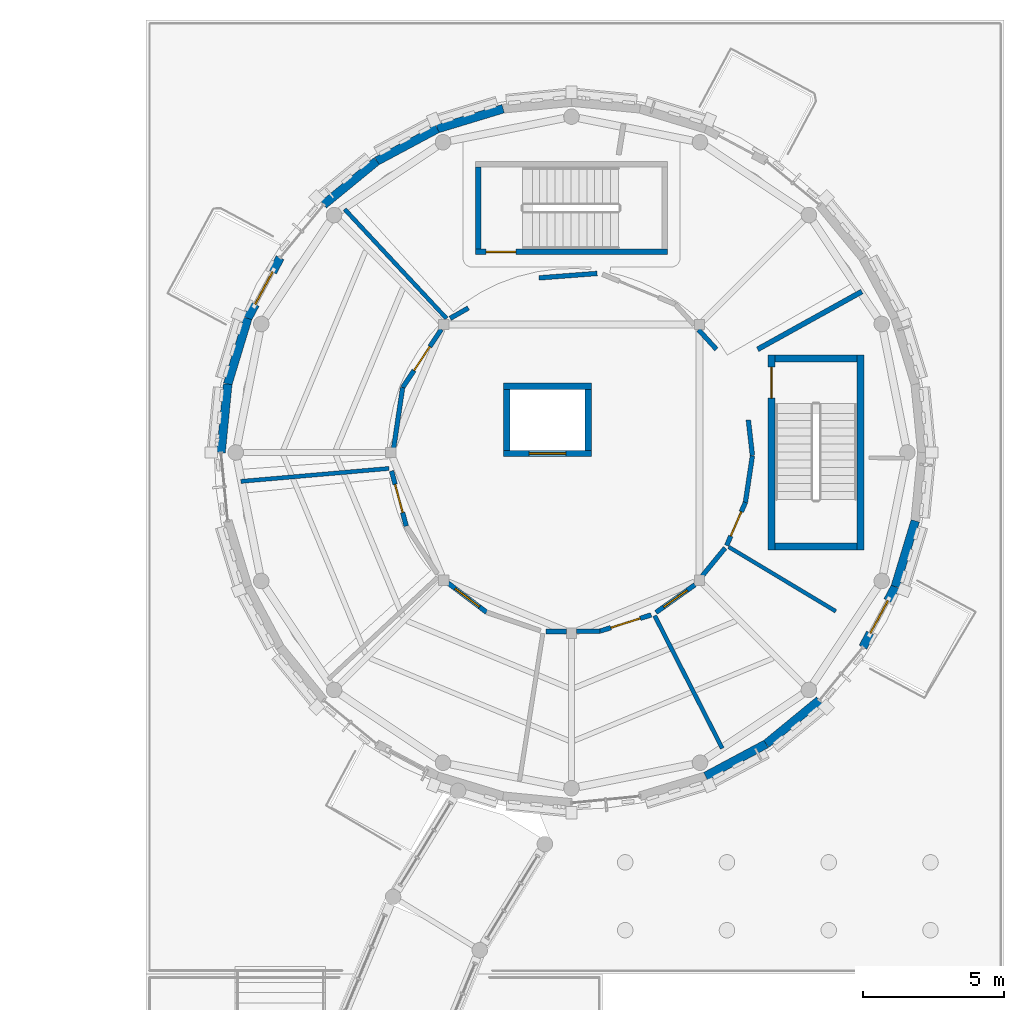
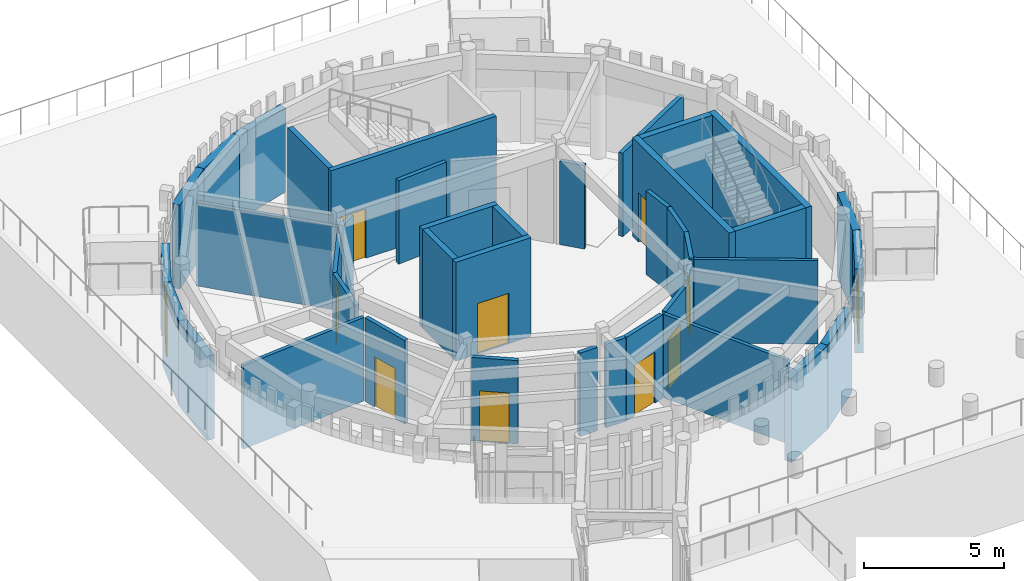
# One storey, part 55 of 94: 40 walls, 11 doors, 11 openings.
"""IFC4 building model written with IfcOpenShell, lengths in metres."""

from ifc_helpers import new_model, si_unit, direction, frame, frame_2d, origin, place, context, subcontext, project, spatial, rectangle, extrude, material, layer, layer_set, type_object, element, fill, save


model = new_model("IFC4")

# Units and contexts
model_context = context("Model", 3, precision=1e-05, world=origin(), true_north=direction((0.0, 1.0)))
body_context = subcontext(model_context, "Body", "Model", "MODEL_VIEW")
ifc_project = project(units=[si_unit("LENGTHUNIT", "METRE"), si_unit("AREAUNIT", "SQUARE_METRE"), si_unit("VOLUMEUNIT", "CUBIC_METRE"), si_unit("PLANEANGLEUNIT", "RADIAN"), si_unit("MASSUNIT", "GRAM", prefix="KILO")], contexts=[model_context])

# Site, building, storey
site_placement = place(None, origin())
site = spatial("IfcSite", under=ifc_project, at=site_placement, CompositionType="ELEMENT")
building_placement = place(site_placement, origin())
building = spatial("IfcBuilding", under=site, at=building_placement, Name="Aldenvaro Health Centre", CompositionType="ELEMENT")
storey_placement = place(building_placement, origin())
storey = spatial("IfcBuildingStorey", under=building, at=storey_placement, Name="L00", CompositionType="ELEMENT", Elevation=0.0)

# Walls
ifc_material_1 = material(Name="Gypsum Stud Acoustic Assembly")
ifc_layer_1 = layer(ifc_material_1, 0.14501953125, Name="Gypsum Stud Acoustic Assembly")
ifc_layer_set_1 = layer_set([ifc_layer_1], Name="Gypsum Stud Acoustic Assembly")
wall_type_1 = type_object("IfcWallType", Name="WL-CLN-145", PredefinedType="PARTITIONING", material=ifc_layer_set_1)
wall_1_placement = place(storey_placement, frame((150.0791015625, 104.240966796875, 0.0), z_axis=(0.0, 0.0, 1.0), x_axis=(-0.681975712302, 0.731374820342, 0.0)))
element("IfcWall", 1, at=wall_1_placement, inside=storey, type_object=wall_type_1, Name="D2 L00 clinical partition 3.1", PredefinedType="PARTITIONING", context=body_context, shape_type="SweptSolid", body=[
    extrude(rectangle(XDim=5.283203125, YDim=0.14501953125, at=frame_2d((2.6416015625, 0.0))), origin(), (0.0, 0.0, 1.0), 3.634033203125),
])
wall_2_placement = place(storey_placement, frame((148.0419921875, 98.93505859375, 0.0), z_axis=(0.0, 0.0, 1.0), x_axis=(-0.996201824445, -0.087074249763, 0.0)))
element("IfcWall", 2, at=wall_2_placement, inside=storey, type_object=wall_type_1, Name="D2 L00 clinical partition 4.1", PredefinedType="PARTITIONING", context=body_context, shape_type="SweptSolid", body=[
    extrude(rectangle(XDim=5.260009765625, YDim=0.14501953125, at=frame_2d((2.6298828125, 0.0))), origin(), (0.0, 0.0, 1.0), 3.634033203125),
])
wall_3_placement = place(storey_placement, frame((157.443115234375, 93.72412109375, 0.0), z_axis=(0.0, 0.0, 1.0), x_axis=(0.454011967175, -0.890995585658, 0.0)))
element("IfcWall", 3, at=wall_3_placement, inside=storey, type_object=wall_type_1, Name="D2 L00 clinical partition 7.1", PredefinedType="PARTITIONING", context=body_context, shape_type="SweptSolid", body=[
    extrude(rectangle(XDim=5.26171875, YDim=0.14501953125, at=frame_2d((2.630859375, 0.0))), origin(), (0.0, 0.0, 1.0), 3.634033203125),
])
ifc_layer_2 = layer(ifc_material_1, 0.1650390625, Name="Gypsum Stud Acoustic Assembly")
ifc_layer_set_2 = layer_set([ifc_layer_2], Name="Gypsum Stud Acoustic Assembly")
wall_type_2 = type_object("IfcWallType", Name="WL-COR-165", PredefinedType="PARTITIONING", material=ifc_layer_set_2)
wall_4_placement = place(storey_placement, frame((159.6259765625, 103.14990234375, 0.0), z_axis=(0.0, 0.0, 1.0), x_axis=(-0.674102073733, 0.738638202497, 0.0)))
element("IfcWall", 4, at=wall_4_placement, inside=storey, type_object=wall_type_2, Name="D2 L00 corridor wall 01.1", PredefinedType="PARTITIONING", context=body_context, shape_type="SweptSolid", body=[
    extrude(rectangle(XDim=0.934326171875, YDim=0.1650390625, at=frame_2d((0.46728515625, 0.0))), origin(), (0.0, 0.0, 1.0), 3.634033203125),
])
wall_5_placement = place(storey_placement, frame((155.406982421875, 105.8349609375, 0.0), z_axis=(0.0, 0.0, 1.0), x_axis=(-0.99702797337, -0.077040381088, 0.0)))
element("IfcWall", 5, at=wall_5_placement, inside=storey, type_object=wall_type_2, Name="D2 L00 corridor wall 02.1", PredefinedType="PARTITIONING", context=body_context, shape_type="SweptSolid", body=[
    extrude(rectangle(XDim=2.06298828125, YDim=0.1650390625, at=frame_2d((1.031494140625, 0.0))), origin(), (0.0, 0.0, 1.0), 3.634033203125),
])
wall_6_placement = place(storey_placement, frame((150.85009765625, 104.611083984375, 0.0), z_axis=(0.0, 0.0, 1.0), x_axis=(-0.869758476347, -0.493477651796, 0.0)))
element("IfcWall", 6, at=wall_6_placement, inside=storey, type_object=wall_type_2, Name="D2 L00 corridor wall 02.2", PredefinedType="PARTITIONING", context=body_context, shape_type="SweptSolid", body=[
    extrude(rectangle(XDim=0.74169921875, YDim=0.1650390625, at=frame_2d((0.370849609375, 0.0))), origin(), (0.0, 0.0, 1.0), 3.634033203125),
])

# Wall, opening, door
wall_7_placement = place(storey_placement, frame((149.89404296875, 103.85595703125, 0.0), z_axis=(0.0, 0.0, 1.0), x_axis=(-0.553151407961, -0.833080740307, 0.0)))
wall_7 = element("IfcWall", 7, at=wall_7_placement, inside=storey, type_object=wall_type_2, Name="D2 L00 corridor wall 03.1", PredefinedType="PARTITIONING", context=body_context, shape_type="SweptSolid", body=[
    extrude(rectangle(XDim=2.47509765625, YDim=0.1650390625, at=frame_2d((1.237548828125, 0.0))), origin(), (0.0, 0.0, 1.0), 3.634033203125),
])
opening_1_placement = place(wall_7_placement, frame((0.73291015625, 0.0, 0.0)))
opening_1 = element("IfcOpeningElement", 8, at=opening_1_placement, cuts=wall_7, Name="Opening D-19", PredefinedType="OPENING", context=body_context, shape_type="SweptSolid", body=[
    extrude(rectangle(XDim=1.010009765625, YDim=2.14990234375, at=frame_2d((0.5048828125, 1.074951171875))), frame((0.0, 0.092529296875, 0.0), z_axis=(0.0, -1.0, 0.0), x_axis=(1.0, 0.0, 0.0)), (0.0, 0.0, 1.0), 0.18505859375),
])
ifc_material_2 = material(Name="Exam Suite Timber Door", Category="wood")
door_type_1 = type_object("IfcDoorType", Name="DR-CLN-19", OperationType="NOTDEFINED", PredefinedType="DOOR", material=ifc_material_2)
door_1_placement = place(opening_1_placement, origin())
door_1 = element("IfcDoor", 9, at=door_1_placement, inside=storey, type_object=door_type_1, Name="Surgical Admissions Waiting Lounge Door", OperationType="SINGLE_SWING_LEFT", OverallHeight=2.14990234375, OverallWidth=1.010009765625, PredefinedType="DOOR", context=body_context, shape_type="SweptSolid", body=[
    extrude(rectangle(XDim=1.010009765625, YDim=2.14990234375, at=frame_2d((0.5048828125, 1.074951171875))), frame((0.0, 0.02490234375, 0.0), z_axis=(0.0, -1.0, 0.0), x_axis=(1.0, 0.0, 0.0)), (0.0, 0.0, 1.0), 0.050048828125),
])
fill(opening_1, door_1)

# Wall
wall_8_placement = place(storey_placement, frame((148.52490234375, 101.7939453125, 0.0), z_axis=(0.0, 0.0, 1.0), x_axis=(-0.146426008628, -0.989221625318, 0.0)))
element("IfcWall", 10, at=wall_8_placement, inside=storey, type_object=wall_type_2, Name="D2 L00 corridor wall 03.2", PredefinedType="PARTITIONING", context=body_context, shape_type="SweptSolid", body=[
    extrude(rectangle(XDim=2.164306640625, YDim=0.1650390625, at=frame_2d((1.08203125, 0.0))), origin(), (0.0, 0.0, 1.0), 3.634033203125),
])

# Wall, opening, door
wall_9_placement = place(storey_placement, frame((148.133056640625, 98.847900390625, 0.0), z_axis=(0.0, 0.0, 1.0), x_axis=(0.257557284001, -0.966263031197, 0.0)))
wall_9 = element("IfcWall", 11, at=wall_9_placement, inside=storey, type_object=wall_type_2, Name="D2 L00 corridor wall 04.1", PredefinedType="PARTITIONING", context=body_context, shape_type="SweptSolid", body=[
    extrude(rectangle(XDim=2.01904296875, YDim=0.1650390625, at=frame_2d((1.009521484375, 0.0))), origin(), (0.0, 0.0, 1.0), 3.634033203125),
])
opening_2_placement = place(wall_9_placement, frame((0.493896484375, 0.0, 0.0)))
opening_2 = element("IfcOpeningElement", 12, at=opening_2_placement, cuts=wall_9, Name="Opening D-20", PredefinedType="OPENING", context=body_context, shape_type="SweptSolid", body=[
    extrude(rectangle(XDim=1.030029296875, YDim=2.179931640625, at=frame_2d((0.51513671875, 1.08984375))), frame((0.0, 0.092529296875, 0.0), z_axis=(0.0, -1.0, 0.0), x_axis=(1.0, 0.0, 0.0)), (0.0, 0.0, 1.0), 0.18505859375),
])
door_type_2 = type_object("IfcDoorType", Name="DR-CLN-20", OperationType="NOTDEFINED", PredefinedType="DOOR", material=ifc_material_2)
door_2_placement = place(opening_2_placement, origin())
door_2 = element("IfcDoor", 13, at=door_2_placement, inside=storey, type_object=door_type_2, Name="Anesthesia Consulting Room 01 Door", OperationType="SINGLE_SWING_RIGHT", OverallHeight=2.179931640625, OverallWidth=1.030029296875, PredefinedType="DOOR", context=body_context, shape_type="SweptSolid", body=[
    extrude(rectangle(XDim=1.030029296875, YDim=2.179931640625, at=frame_2d((0.51513671875, 1.08984375))), frame((0.0, 0.02490234375, 0.0), z_axis=(0.0, -1.0, 0.0), x_axis=(1.0, 0.0, 0.0)), (0.0, 0.0, 1.0), 0.050048828125),
])
fill(opening_2, door_2)

wall_10_placement = place(storey_placement, frame((150.135009765625, 94.876953125, 0.0), z_axis=(0.0, 0.0, 1.0), x_axis=(0.797812216317, -0.602906018792, 0.0)))
wall_10 = element("IfcWall", 14, at=wall_10_placement, inside=storey, type_object=wall_type_2, Name="D2 L00 corridor wall 05.1", PredefinedType="PARTITIONING", context=body_context, shape_type="SweptSolid", body=[
    extrude(rectangle(XDim=1.704833984375, YDim=0.1650390625, at=frame_2d((0.8525390625, 0.0))), origin(), (0.0, 0.0, 1.0), 3.634033203125),
])
opening_3_placement = place(wall_10_placement, frame((0.318115234375, 0.0, 0.0)))
opening_3 = element("IfcOpeningElement", 15, at=opening_3_placement, cuts=wall_10, Name="Opening D-21", PredefinedType="OPENING", context=body_context, shape_type="SweptSolid", body=[
    extrude(rectangle(XDim=1.070068359375, YDim=2.199951171875, at=frame_2d((0.53515625, 1.10009765625))), frame((0.0, 0.092529296875, 0.0), z_axis=(0.0, -1.0, 0.0), x_axis=(1.0, 0.0, 0.0)), (0.0, 0.0, 1.0), 0.18505859375),
])
door_type_3 = type_object("IfcDoorType", Name="DR-CLN-21", OperationType="NOTDEFINED", PredefinedType="DOOR", material=ifc_material_2)
door_3_placement = place(opening_3_placement, origin())
door_3 = element("IfcDoor", 16, at=door_3_placement, inside=storey, type_object=door_type_3, Name="Anesthesia Consulting Room 02 Door", OperationType="SINGLE_SWING_LEFT", OverallHeight=2.199951171875, OverallWidth=1.070068359375, PredefinedType="DOOR", context=body_context, shape_type="SweptSolid", body=[
    extrude(rectangle(XDim=1.070068359375, YDim=2.199951171875, at=frame_2d((0.53515625, 1.10009765625))), frame((0.0, 0.02490234375, 0.0), z_axis=(0.0, -1.0, 0.0), x_axis=(1.0, 0.0, 0.0)), (0.0, 0.0, 1.0), 0.050048828125),
])
fill(opening_3, door_3)

# Walls
wall_11_placement = place(storey_placement, frame((153.593017578125, 93.1650390625, 0.0), z_axis=(0.0, 0.0, 1.0), x_axis=(0.999977808117, 0.006662077336, 0.0)))
element("IfcWall", 17, at=wall_11_placement, inside=storey, type_object=wall_type_2, Name="D2 L00 corridor wall 06.1", PredefinedType="PARTITIONING", context=body_context, shape_type="SweptSolid", body=[
    extrude(rectangle(XDim=0.73291015625, YDim=0.1650390625, at=frame_2d((0.366455078125, 0.0))), origin(), (0.0, 0.0, 1.0), 3.634033203125),
])
wall_12_placement = place(storey_placement, frame((154.673095703125, 93.173095703125, 0.0), z_axis=(0.0, 0.0, 1.0), x_axis=(0.999974955026, 0.007077380985, 0.0)))
element("IfcWall", 18, at=wall_12_placement, inside=storey, type_object=wall_type_2, Name="D2 L00 corridor wall 06.2", PredefinedType="PARTITIONING", context=body_context, shape_type="SweptSolid", body=[
    extrude(rectangle(XDim=0.827880859375, YDim=0.1650390625, at=frame_2d((0.4140625, 0.0))), origin(), (0.0, 0.0, 1.0), 3.634033203125),
])

# Wall, opening, door
wall_13_placement = place(storey_placement, frame((155.5009765625, 93.178955078125, 0.0), z_axis=(0.0, 0.0, 1.0), x_axis=(0.953406615916, 0.30168829067, 0.0)))
wall_13 = element("IfcWall", 19, at=wall_13_placement, inside=storey, type_object=wall_type_2, Name="D2 L00 corridor wall 06.3", PredefinedType="PARTITIONING", context=body_context, shape_type="SweptSolid", body=[
    extrude(rectangle(XDim=1.908935546875, YDim=0.1650390625, at=frame_2d((0.95458984375, 0.0))), origin(), (0.0, 0.0, 1.0), 3.634033203125),
])
opening_4_placement = place(wall_13_placement, frame((0.408935546875, 0.0, 0.0)))
opening_4 = element("IfcOpeningElement", 20, at=opening_4_placement, cuts=wall_13, Name="Opening D-22", PredefinedType="OPENING", context=body_context, shape_type="SweptSolid", body=[
    extrude(rectangle(XDim=1.090087890625, YDim=2.219970703125, at=frame_2d((0.544921875, 1.10986328125))), frame((0.0, 0.092529296875, 0.0), z_axis=(0.0, -1.0, 0.0), x_axis=(1.0, 0.0, 0.0)), (0.0, 0.0, 1.0), 0.18505859375),
])
door_type_4 = type_object("IfcDoorType", Name="DR-CLN-22", OperationType="NOTDEFINED", PredefinedType="DOOR", material=ifc_material_2)
door_4_placement = place(opening_4_placement, origin())
door_4 = element("IfcDoor", 21, at=door_4_placement, inside=storey, type_object=door_type_4, Name="Surgical Family Consultation Room Door", OperationType="SINGLE_SWING_RIGHT", OverallHeight=2.219970703125, OverallWidth=1.090087890625, PredefinedType="DOOR", context=body_context, shape_type="SweptSolid", body=[
    extrude(rectangle(XDim=1.090087890625, YDim=2.219970703125, at=frame_2d((0.544921875, 1.10986328125))), frame((0.0, 0.02490234375, 0.0), z_axis=(0.0, -1.0, 0.0), x_axis=(1.0, 0.0, 0.0)), (0.0, 0.0, 1.0), 0.050048828125),
])
fill(opening_4, door_4)

wall_14_placement = place(storey_placement, frame((157.489990234375, 93.841064453125, 0.0), z_axis=(0.0, 0.0, 1.0), x_axis=(0.814885465769, 0.579622012761, 0.0)))
wall_14 = element("IfcWall", 22, at=wall_14_placement, inside=storey, type_object=wall_type_2, Name="D2 L00 corridor wall 07.1", PredefinedType="PARTITIONING", context=body_context, shape_type="SweptSolid", body=[
    extrude(rectangle(XDim=1.687255859375, YDim=0.1650390625, at=frame_2d((0.84375, 0.0))), origin(), (0.0, 0.0, 1.0), 3.634033203125),
])
opening_5_placement = place(wall_14_placement, frame((0.333984375, 0.0, 0.0)))
opening_5 = element("IfcOpeningElement", 23, at=opening_5_placement, cuts=wall_14, Name="Opening HD-01", PredefinedType="OPENING", context=body_context, shape_type="SweptSolid", body=[
    extrude(rectangle(XDim=1.02001953125, YDim=2.199951171875, at=frame_2d((0.510009765625, 1.10009765625))), frame((0.0, 0.092529296875, 0.0), z_axis=(0.0, -1.0, 0.0), x_axis=(1.0, 0.0, 0.0)), (0.0, 0.0, 1.0), 0.18505859375),
])
ifc_material_3 = material(Name="Security Pharmacy Vault Door")
door_type_5 = type_object("IfcDoorType", Name="DR-PHM-01", OperationType="NOTDEFINED", PredefinedType="DOOR", material=ifc_material_3)
door_5_placement = place(opening_5_placement, origin())
door_5 = element("IfcDoor", 24, at=door_5_placement, inside=storey, type_object=door_type_5, Name="Clean Medication Preparation Door", OperationType="SINGLE_SWING_LEFT", OverallHeight=2.199951171875, OverallWidth=1.02001953125, PredefinedType="DOOR", context=body_context, shape_type="SweptSolid", body=[
    extrude(rectangle(XDim=1.02001953125, YDim=2.199951171875, at=frame_2d((0.510009765625, 1.10009765625))), frame((0.0, 0.02490234375, 0.0), z_axis=(0.0, -1.0, 0.0), x_axis=(1.0, 0.0, 0.0)), (0.0, 0.0, 1.0), 0.050048828125),
])
fill(opening_5, door_5)

# Wall
wall_15_placement = place(storey_placement, frame((159.1240234375, 95.134033203125, 0.0), z_axis=(0.0, 0.0, 1.0), x_axis=(0.634556320129, 0.772876624426, 0.0)))
element("IfcWall", 25, at=wall_15_placement, inside=storey, type_object=wall_type_2, Name="D2 L00 corridor wall 07.2", PredefinedType="PARTITIONING", context=body_context, shape_type="SweptSolid", body=[
    extrude(rectangle(XDim=1.279541015625, YDim=0.1650390625, at=frame_2d((0.6396484375, 0.0))), origin(), (0.0, 0.0, 1.0), 3.634033203125),
])

# Wall, opening, door
wall_16_placement = place(storey_placement, frame((159.989990234375, 96.2109375, 0.0), z_axis=(0.0, 0.0, 1.0), x_axis=(0.398221343375, 0.917289355482, 0.0)))
wall_16 = element("IfcWall", 26, at=wall_16_placement, inside=storey, type_object=wall_type_2, Name="D2 L00 corridor wall 08.1", PredefinedType="PARTITIONING", context=body_context, shape_type="SweptSolid", body=[
    extrude(rectangle(XDim=1.66259765625, YDim=0.1650390625, at=frame_2d((0.831298828125, 0.0))), origin(), (0.0, 0.0, 1.0), 3.634033203125),
])
opening_6_placement = place(wall_16_placement, frame((0.361083984375, 0.0, 0.0)))
opening_6 = element("IfcOpeningElement", 27, at=opening_6_placement, cuts=wall_16, Name="Opening WD-02", PredefinedType="OPENING", context=body_context, shape_type="SweptSolid", body=[
    extrude(rectangle(XDim=0.93994140625, YDim=2.10009765625, at=frame_2d((0.469970703125, 1.050048828125))), frame((0.0, 0.092529296875, 0.0), z_axis=(0.0, -1.0, 0.0), x_axis=(1.0, 0.0, 0.0)), (0.0, 0.0, 1.0), 0.18505859375),
])
ifc_material_4 = material(Name="Accessible Sanitary Laminate Door")
door_type_6 = type_object("IfcDoorType", Name="DR-WC-02", OperationType="NOTDEFINED", PredefinedType="DOOR", material=ifc_material_4)
door_6_placement = place(opening_6_placement, origin())
door_6 = element("IfcDoor", 28, at=door_6_placement, inside=storey, type_object=door_type_6, Name="Male Patient WC Door", OperationType="SINGLE_SWING_RIGHT", OverallHeight=2.10009765625, OverallWidth=0.93994140625, PredefinedType="DOOR", context=body_context, shape_type="SweptSolid", body=[
    extrude(rectangle(XDim=0.93994140625, YDim=2.10009765625, at=frame_2d((0.469970703125, 1.050048828125))), frame((0.0, 0.02490234375, 0.0), z_axis=(0.0, -1.0, 0.0), x_axis=(1.0, 0.0, 0.0)), (0.0, 0.0, 1.0), 0.050048828125),
])
fill(opening_6, door_6)

# Walls
wall_17_placement = place(storey_placement, frame((160.652099609375, 97.736083984375, 0.0), z_axis=(0.0, 0.0, 1.0), x_axis=(0.148577598489, 0.98890075196, 0.0)))
element("IfcWall", 29, at=wall_17_placement, inside=storey, type_object=wall_type_2, Name="D2 L00 corridor wall 08.2", PredefinedType="PARTITIONING", context=body_context, shape_type="SweptSolid", body=[
    extrude(rectangle(XDim=1.661376953125, YDim=0.1650390625, at=frame_2d((0.83056640625, 0.0))), origin(), (0.0, 0.0, 1.0), 3.634033203125),
])
wall_18_placement = place(storey_placement, frame((160.89892578125, 99.39697265625, 0.0), z_axis=(0.0, 0.0, 1.0), x_axis=(-0.113257197306, 0.993565703544, 0.0)))
element("IfcWall", 30, at=wall_18_placement, inside=storey, type_object=wall_type_2, Name="D2 L00 corridor wall 09.1", PredefinedType="PARTITIONING", context=body_context, shape_type="SweptSolid", body=[
    extrude(rectangle(XDim=1.260986328125, YDim=0.1650390625, at=frame_2d((0.63037109375, 0.0))), origin(), (0.0, 0.0, 1.0), 3.634033203125),
])
ifc_material_5 = material(Name="Concrete f'c 35 MPa", Category="concrete")
ifc_layer_3 = layer(ifc_material_5, 0.31005859375, Name="Concrete f'c 35 MPa", Category="concrete")
ifc_layer_set_3 = layer_set([ifc_layer_3], Name="Concrete f'c 35 MPa")
wall_type_3 = type_object("IfcWallType", Name="WL-EXT-310", PredefinedType="SOLIDWALL", material=ifc_layer_set_3)
wall_19_placement = place(storey_placement, frame((166.662109375, 97.0810546875, 0.0), z_axis=(0.0, 0.0, 1.0), x_axis=(-0.290442193951, -0.956892539407, 0.0)))
element("IfcWall", 31, at=wall_19_placement, inside=storey, type_object=wall_type_3, Name="D2 L00 exterior wall 02", PredefinedType="SOLIDWALL", context=body_context, shape_type="SweptSolid", body=[
    extrude(rectangle(XDim=2.430908203125, YDim=0.31005859375, at=frame_2d((1.21533203125, 0.0))), origin(), (0.0, 0.0, 1.0), 3.658935546875),
])

# Wall, opening, door
wall_20_placement = place(storey_placement, frame((165.9560546875, 94.7548828125, 0.0), z_axis=(0.0, 0.0, 1.0), x_axis=(-0.471432490996, -0.881902152415, 0.0)))
wall_20 = element("IfcWall", 32, at=wall_20_placement, inside=storey, type_object=wall_type_3, Name="D2 L00 exterior wall 03", PredefinedType="SOLIDWALL", context=body_context, shape_type="SweptSolid", body=[
    extrude(rectangle(XDim=2.430908203125, YDim=0.31005859375, at=frame_2d((1.21533203125, 0.0))), origin(), (0.0, 0.0, 1.0), 3.658935546875),
])
opening_7_placement = place(wall_20_placement, frame((0.56591796875, 0.0, 0.0)))
opening_7 = element("IfcOpeningElement", 33, at=opening_7_placement, cuts=wall_20, Name="Opening ED-06", PredefinedType="OPENING", context=body_context, shape_type="SweptSolid", body=[
    extrude(rectangle(XDim=1.300048828125, YDim=2.25, at=frame_2d((0.64990234375, 1.125))), frame((0.0, 0.1650390625, 0.0), z_axis=(0.0, -1.0, 0.0), x_axis=(1.0, 0.0, 0.0)), (0.0, 0.0, 1.0), 0.330078125),
])
ifc_material_6 = material(Name="Thermally Broken Glazed Aluminium", Category="aluminium")
door_type_7 = type_object("IfcDoorType", Name="DR-GDN-130", OperationType="NOTDEFINED", PredefinedType="DOOR", material=ifc_material_6)
door_7_placement = place(opening_7_placement, origin())
door_7 = element("IfcDoor", 34, at=door_7_placement, inside=storey, type_object=door_type_7, Name="Pedestrian Final Exit Door 08", OperationType="SINGLE_SWING_RIGHT", OverallHeight=2.25, OverallWidth=1.300048828125, PredefinedType="DOOR", context=body_context, shape_type="SweptSolid", body=[
    extrude(rectangle(XDim=1.300048828125, YDim=2.25, at=frame_2d((0.64990234375, 1.125))), frame((0.0, 0.02490234375, 0.0), z_axis=(0.0, -1.0, 0.0), x_axis=(1.0, 0.0, 0.0)), (0.0, 0.0, 1.0), 0.050048828125),
])
fill(opening_7, door_7)

# Walls
for number, where, z_axis, x_axis, name in (
    (35, (163.26806640625, 90.73193359375, 0.0), (0.0, 0.0, 1.0), (-0.773048113134, -0.634347392822, 0.0), "D2 L00 exterior wall 05"),
    (36, (161.388916015625, 89.18994140625, 0.0), (0.0, 0.0, 1.0), (-0.881902152415, -0.471432490996, 0.0), "D2 L00 exterior wall 06"),
):
    element("IfcWall", number, at=place(storey_placement, frame(where, z_axis=z_axis, x_axis=x_axis)), inside=storey, type_object=wall_type_3, Name=name, PredefinedType="SOLIDWALL", context=body_context, shape_type="SweptSolid", body=[
        extrude(rectangle(XDim=2.430908203125, YDim=0.31005859375, at=frame_2d((1.21533203125, 0.0))), origin(), (0.0, 0.0, 1.0), 3.658935546875),
    ])
wall_21_placement = place(storey_placement, frame((142.10009765625, 99.5, 0.0), z_axis=(0.0, 0.0, 1.0), x_axis=(0.097832820839, 0.995202863323, 0.0)))
element("IfcWall", 37, at=wall_21_placement, inside=storey, type_object=wall_type_3, Name="D2 L00 exterior wall 17", PredefinedType="SOLIDWALL", context=body_context, shape_type="SweptSolid", body=[
    extrude(rectangle(XDim=2.4306640625, YDim=0.31005859375, at=frame_2d((1.21533203125, 0.0))), origin(), (0.0, 0.0, 1.0), 3.658935546875),
])
wall_22_placement = place(storey_placement, frame((142.337890625, 101.9189453125, 0.0), z_axis=(0.0, 0.0, 1.0), x_axis=(0.290442193951, 0.956892539407, 0.0)))
element("IfcWall", 38, at=wall_22_placement, inside=storey, type_object=wall_type_3, Name="D2 L00 exterior wall 18", PredefinedType="SOLIDWALL", context=body_context, shape_type="SweptSolid", body=[
    extrude(rectangle(XDim=2.430908203125, YDim=0.31005859375, at=frame_2d((1.21533203125, 0.0))), origin(), (0.0, 0.0, 1.0), 3.658935546875),
])

# Wall, opening, door
wall_23_placement = place(storey_placement, frame((143.0439453125, 104.2451171875, 0.0), z_axis=(0.0, 0.0, 1.0), x_axis=(0.471432490996, 0.881902152415, 0.0)))
wall_23 = element("IfcWall", 39, at=wall_23_placement, inside=storey, type_object=wall_type_3, Name="D2 L00 exterior wall 19", PredefinedType="SOLIDWALL", context=body_context, shape_type="SweptSolid", body=[
    extrude(rectangle(XDim=2.430908203125, YDim=0.31005859375, at=frame_2d((1.21533203125, 0.0))), origin(), (0.0, 0.0, 1.0), 3.658935546875),
])
opening_8_placement = place(wall_23_placement, frame((0.56591796875, 0.0, 0.0)))
opening_8 = element("IfcOpeningElement", 40, at=opening_8_placement, cuts=wall_23, Name="Opening ED-06", PredefinedType="OPENING", context=body_context, shape_type="SweptSolid", body=[
    extrude(rectangle(XDim=1.300048828125, YDim=2.25, at=frame_2d((0.64990234375, 1.125))), frame((0.0, 0.1650390625, 0.0), z_axis=(0.0, -1.0, 0.0), x_axis=(1.0, 0.0, 0.0)), (0.0, 0.0, 1.0), 0.330078125),
])
door_8_placement = place(opening_8_placement, origin())
door_8 = element("IfcDoor", 41, at=door_8_placement, inside=storey, type_object=door_type_7, Name="Pedestrian Final Exit Door 10", OperationType="SINGLE_SWING_RIGHT", OverallHeight=2.25, OverallWidth=1.300048828125, PredefinedType="DOOR", context=body_context, shape_type="SweptSolid", body=[
    extrude(rectangle(XDim=1.300048828125, YDim=2.25, at=frame_2d((0.64990234375, 1.125))), frame((0.0, 0.02490234375, 0.0), z_axis=(0.0, -1.0, 0.0), x_axis=(1.0, 0.0, 0.0)), (0.0, 0.0, 1.0), 0.050048828125),
])
fill(opening_8, door_8)

# Walls
for number, where, z_axis, x_axis, name in (
    (42, (145.73193359375, 108.26806640625, 0.0), (0.0, 0.0, 1.0), (0.773048113134, 0.634347392822, 0.0), "D2 L00 exterior wall 21"),
    (43, (147.611083984375, 109.81005859375, 0.0), (0.0, 0.0, 1.0), (0.881902152415, 0.471432490996, 0.0), "D2 L00 exterior wall 22"),
    (44, (149.7548828125, 110.9560546875, 0.0), (0.0, 0.0, 1.0), (0.956892539407, 0.290442193951, 0.0), "D2 L00 exterior wall 23"),
):
    element("IfcWall", number, at=place(storey_placement, frame(where, z_axis=z_axis, x_axis=x_axis)), inside=storey, type_object=wall_type_3, Name=name, PredefinedType="SOLIDWALL", context=body_context, shape_type="SweptSolid", body=[
        extrude(rectangle(XDim=2.430908203125, YDim=0.31005859375, at=frame_2d((1.21533203125, 0.0))), origin(), (0.0, 0.0, 1.0), 3.658935546875),
    ])

# Wall, opening, door
ifc_material_7 = material(Name="Concrete f'c 40 MPa", Category="concrete")
ifc_layer_4 = layer(ifc_material_7, 0.199951171875, Name="Concrete f'c 40 MPa", Category="concrete")
ifc_layer_set_4 = layer_set([ifc_layer_4], Name="Concrete f'c 40 MPa")
wall_type_4 = type_object("IfcWallType", Name="WL-SHAFT-200", PredefinedType="SHEAR", material=ifc_layer_set_4)
wall_24_placement = place(storey_placement, frame((151.10009765625, 106.60009765625, 0.0), z_axis=(0.0, 0.0, 1.0), x_axis=(1.0, 0.0, 0.0)))
wall_24 = element("IfcWall", 45, at=wall_24_placement, inside=storey, type_object=wall_type_4, Name="ST-04 L00 inner core wall", PredefinedType="SHEAR", context=body_context, shape_type="SweptSolid", body=[
    extrude(rectangle(XDim=6.7998046875, YDim=0.199951171875, at=frame_2d((3.39990234375, 0.0))), origin(), (0.0, 0.0, 1.0), 4.304931640625),
])
opening_9_placement = place(wall_24_placement, frame((0.3798828125, 0.0, 0.0)))
opening_9 = element("IfcOpeningElement", 46, at=opening_9_placement, cuts=wall_24, Name="Opening FD-02", PredefinedType="OPENING", context=body_context, shape_type="SweptSolid", body=[
    extrude(rectangle(XDim=1.050048828125, YDim=2.14990234375, at=frame_2d((0.52490234375, 1.074951171875))), frame((0.0, 0.10986328125, 0.0), z_axis=(0.0, -1.0, 0.0), x_axis=(1.0, 0.0, 0.0)), (0.0, 0.0, 1.0), 0.219970703125),
])
ifc_material_8 = material(Name="Fire-Rated Steel Door Assembly", Category="steel")
door_type_8 = type_object("IfcDoorType", Name="DR-STAIR-105", OperationType="NOTDEFINED", PredefinedType="DOOR", material=ifc_material_8)
door_9_placement = place(opening_9_placement, origin())
door_9 = element("IfcDoor", 47, at=door_9_placement, inside=storey, type_object=door_type_8, Name="ST-04 L00 fire stair door", OperationType="SINGLE_SWING_LEFT", OverallHeight=2.14990234375, OverallWidth=1.050048828125, PredefinedType="DOOR", context=body_context, shape_type="SweptSolid", body=[
    extrude(rectangle(XDim=1.050048828125, YDim=2.14990234375, at=frame_2d((0.52490234375, 1.074951171875))), frame((0.0, 0.02490234375, 0.0), z_axis=(0.0, -1.0, 0.0), x_axis=(1.0, 0.0, 0.0)), (0.0, 0.0, 1.0), 0.050048828125),
])
fill(opening_9, door_9)

# Wall
wall_25_placement = place(storey_placement, frame((151.199951171875, 106.699951171875, 0.0), z_axis=(0.0, 0.0, 1.0), x_axis=(0.0, 1.0, 0.0)))
element("IfcWall", 48, at=wall_25_placement, inside=storey, type_object=wall_type_4, Name="ST-04 L00 side core wall L", PredefinedType="SHEAR", context=body_context, shape_type="SweptSolid", body=[
    extrude(rectangle(XDim=2.900146484375, YDim=0.199951171875, at=frame_2d((1.4501953125, 0.0))), origin(), (0.0, 0.0, 1.0), 4.304931640625),
])

# Wall, opening, door
ifc_layer_5 = layer(ifc_material_7, 0.22509765625, Name="Concrete f'c 40 MPa", Category="concrete")
ifc_layer_set_5 = layer_set([ifc_layer_5], Name="Concrete f'c 40 MPa")
wall_type_5 = type_object("IfcWallType", Name="WL-SHAFT-225", PredefinedType="SHEAR", material=ifc_layer_set_5)
wall_26_placement = place(storey_placement, frame((152.10009765625, 99.462890625, 0.0), z_axis=(0.0, 0.0, 1.0), x_axis=(1.0, 0.0, 0.0)))
wall_26 = element("IfcWall", 49, at=wall_26_placement, inside=storey, type_object=wall_type_5, Name="LF-02 L00 lift shaft front wall", PredefinedType="SHEAR", context=body_context, shape_type="SweptSolid", body=[
    extrude(rectangle(XDim=3.099853515625, YDim=0.22509765625, at=frame_2d((1.5498046875, 0.0))), origin(), (0.0, 0.0, 1.0), 4.304931640625),
])
opening_10_placement = place(wall_26_placement, frame((0.89990234375, 0.0, 0.0)))
opening_10 = element("IfcOpeningElement", 50, at=opening_10_placement, cuts=wall_26, Name="Opening LD-02", PredefinedType="OPENING", context=body_context, shape_type="SweptSolid", body=[
    extrude(rectangle(XDim=1.300048828125, YDim=2.199951171875, at=frame_2d((0.64990234375, 1.10009765625))), frame((0.0, 0.12255859375, 0.0), z_axis=(0.0, -1.0, 0.0), x_axis=(1.0, 0.0, 0.0)), (0.0, 0.0, 1.0), 0.2451171875),
])
ifc_material_9 = material(Name="Stainless Steel Stretcher Landing Door", Category="steel")
door_type_9 = type_object("IfcDoorType", Name="DR-LIFT-130", OperationType="DOUBLE_DOOR_SLIDING", PredefinedType="DOOR", material=ifc_material_9)
door_10_placement = place(opening_10_placement, origin())
door_10 = element("IfcDoor", 51, at=door_10_placement, inside=storey, type_object=door_type_9, Name="Lift LF-02 L00 Sliding Landing Door", OperationType="DOUBLE_DOOR_SLIDING", OverallHeight=2.199951171875, OverallWidth=1.300048828125, PredefinedType="DOOR", context=body_context, shape_type="SweptSolid", body=[
    extrude(rectangle(XDim=1.300048828125, YDim=2.199951171875, at=frame_2d((0.64990234375, 1.10009765625))), frame((0.0, 0.02490234375, 0.0), z_axis=(0.0, -1.0, 0.0), x_axis=(1.0, 0.0, 0.0)), (0.0, 0.0, 1.0), 0.050048828125),
])
fill(opening_10, door_10)

# Walls
wall_27_placement = place(storey_placement, frame((152.10009765625, 101.837890625, 0.0), z_axis=(0.0, 0.0, 1.0), x_axis=(1.0, 0.0, 0.0)))
element("IfcWall", 52, at=wall_27_placement, inside=storey, type_object=wall_type_5, Name="LF-02 L00 lift shaft rear wall", PredefinedType="SHEAR", context=body_context, shape_type="SweptSolid", body=[
    extrude(rectangle(XDim=3.099853515625, YDim=0.22509765625, at=frame_2d((1.5498046875, 0.0))), origin(), (0.0, 0.0, 1.0), 4.304931640625),
])
for number, where, z_axis, x_axis, name in (
    (53, (152.212890625, 99.574951171875, 0.0), (0.0, 0.0, 1.0), (0.0, 1.0, 0.0), "LF-02 L00 lift shaft side wall L"),
    (54, (155.087890625, 99.574951171875, 0.0), (0.0, 0.0, 1.0), (0.0, 1.0, 0.0), "LF-02 L00 lift shaft side wall R"),
):
    element("IfcWall", number, at=place(storey_placement, frame(where, z_axis=z_axis, x_axis=x_axis)), inside=storey, type_object=wall_type_5, Name=name, PredefinedType="SHEAR", context=body_context, shape_type="SweptSolid", body=[
        extrude(rectangle(XDim=2.150146484375, YDim=0.22509765625, at=frame_2d((1.0751953125, 0.0))), origin(), (0.0, 0.0, 1.0), 4.304931640625),
    ])

# Wall, opening, door
ifc_layer_6 = layer(ifc_material_7, 0.25, Name="Concrete f'c 40 MPa", Category="concrete")
ifc_layer_set_6 = layer_set([ifc_layer_6], Name="Concrete f'c 40 MPa")
wall_type_6 = type_object("IfcWallType", Name="WL-SHAFT-250", PredefinedType="SHEAR", material=ifc_layer_set_6)
wall_28_placement = place(storey_placement, frame((161.574951171875, 102.949951171875, 0.0), z_axis=(0.0, 0.0, 1.0), x_axis=(0.0, -1.0, 0.0)))
wall_28 = element("IfcWall", 55, at=wall_28_placement, inside=storey, type_object=wall_type_6, Name="ST-03 L00 inner core wall", PredefinedType="SHEAR", context=body_context, shape_type="SweptSolid", body=[
    extrude(rectangle(XDim=6.89990234375, YDim=0.25, at=frame_2d((3.449951171875, 0.0))), origin(), (0.0, 0.0, 1.0), 4.304931640625),
])
opening_11_placement = place(wall_28_placement, frame((0.429931640625, 0.0, 0.0)))
opening_11 = element("IfcOpeningElement", 56, at=opening_11_placement, cuts=wall_28, Name="Opening FD-01", PredefinedType="OPENING", context=body_context, shape_type="SweptSolid", body=[
    extrude(rectangle(XDim=1.10009765625, YDim=2.14990234375, at=frame_2d((0.550048828125, 1.074951171875))), frame((0.0, 0.135009765625, 0.0), z_axis=(0.0, -1.0, 0.0), x_axis=(1.0, 0.0, 0.0)), (0.0, 0.0, 1.0), 0.27001953125),
])
door_type_10 = type_object("IfcDoorType", Name="DR-STAIR-110", OperationType="NOTDEFINED", PredefinedType="DOOR", material=ifc_material_8)
door_11_placement = place(opening_11_placement, origin())
door_11 = element("IfcDoor", 57, at=door_11_placement, inside=storey, type_object=door_type_10, Name="ST-03 L00 fire stair door", OperationType="SINGLE_SWING_RIGHT", OverallHeight=2.14990234375, OverallWidth=1.10009765625, PredefinedType="DOOR", context=body_context, shape_type="SweptSolid", body=[
    extrude(rectangle(XDim=1.10009765625, YDim=2.14990234375, at=frame_2d((0.550048828125, 1.074951171875))), frame((0.0, 0.02490234375, 0.0), z_axis=(0.0, -1.0, 0.0), x_axis=(1.0, 0.0, 0.0)), (0.0, 0.0, 1.0), 0.050048828125),
])
fill(opening_11, door_11)

# Walls
wall_29_placement = place(storey_placement, frame((164.72509765625, 102.949951171875, 0.0), z_axis=(0.0, 0.0, 1.0), x_axis=(0.0, -1.0, 0.0)))
element("IfcWall", 58, at=wall_29_placement, inside=storey, type_object=wall_type_6, Name="ST-03 L00 far core wall", PredefinedType="SHEAR", context=body_context, shape_type="SweptSolid", body=[
    extrude(rectangle(XDim=6.89990234375, YDim=0.25, at=frame_2d((3.449951171875, 0.0))), origin(), (0.0, 0.0, 1.0), 4.304931640625),
])
for number, where, z_axis, x_axis, name in (
    (59, (161.699951171875, 102.824951171875, 0.0), (0.0, 0.0, 1.0), (1.0, 0.0, 0.0), "ST-03 L00 side core wall L"),
    (60, (161.699951171875, 96.175048828125, 0.0), (0.0, 0.0, 1.0), (1.0, 0.0, 0.0), "ST-03 L00 side core wall R"),
):
    element("IfcWall", number, at=place(storey_placement, frame(where, z_axis=z_axis, x_axis=x_axis)), inside=storey, type_object=wall_type_6, Name=name, PredefinedType="SHEAR", context=body_context, shape_type="SweptSolid", body=[
        extrude(rectangle(XDim=2.900146484375, YDim=0.25, at=frame_2d((1.4501953125, 0.0))), origin(), (0.0, 0.0, 1.0), 4.304931640625),
    ])
ifc_material_10 = material(Name="Hygienic Clad Acoustic Partition")
ifc_layer_7 = layer(ifc_material_10, 0.179931640625, Name="Hygienic Clad Acoustic Partition")
ifc_layer_set_7 = layer_set([ifc_layer_7], Name="Hygienic Clad Acoustic Partition")
wall_type_7 = type_object("IfcWallType", Name="WL-SRG-180", PredefinedType="PARTITIONING", material=ifc_layer_set_7)
wall_30_placement = place(storey_placement, frame((161.0849609375, 103.14990234375, 0.0), z_axis=(0.0, 0.0, 1.0), x_axis=(0.874618676917, 0.484811478813, 0.0)))
element("IfcWall", 61, at=wall_30_placement, inside=storey, type_object=wall_type_7, Name="D2 L00 clinical partition 1.1", PredefinedType="PARTITIONING", context=body_context, shape_type="SweptSolid", body=[
    extrude(rectangle(XDim=4.21435546875, YDim=0.179931640625, at=frame_2d((2.107177734375, 0.0))), origin(), (0.0, 0.0, 1.0), 3.634033203125),
])
ifc_material_11 = material(Name="Moisture-Resistant Plumbing Stud Wall")
ifc_layer_8 = layer(ifc_material_11, 0.135009765625, Name="Moisture-Resistant Plumbing Stud Wall")
ifc_layer_set_8 = layer_set([ifc_layer_8], Name="Moisture-Resistant Plumbing Stud Wall")
wall_type_8 = type_object("IfcWallType", Name="WL-WET-135", PredefinedType="PLUMBINGWALL", material=ifc_layer_set_8)
wall_31_placement = place(storey_placement, frame((160.056884765625, 96.160888671875, 0.0), z_axis=(0.0, 0.0, 1.0), x_axis=(0.857171289871, -0.515031435761, 0.0)))
element("IfcWall", 62, at=wall_31_placement, inside=storey, type_object=wall_type_8, Name="D2 L00 clinical partition 8.1", PredefinedType="PLUMBINGWALL", context=body_context, shape_type="SweptSolid", body=[
    extrude(rectangle(XDim=4.422607421875, YDim=0.135009765625, at=frame_2d((2.21142578125, 0.0))), origin(), (0.0, 0.0, 1.0), 3.634033203125),
])

save(model, "model.ifc")
